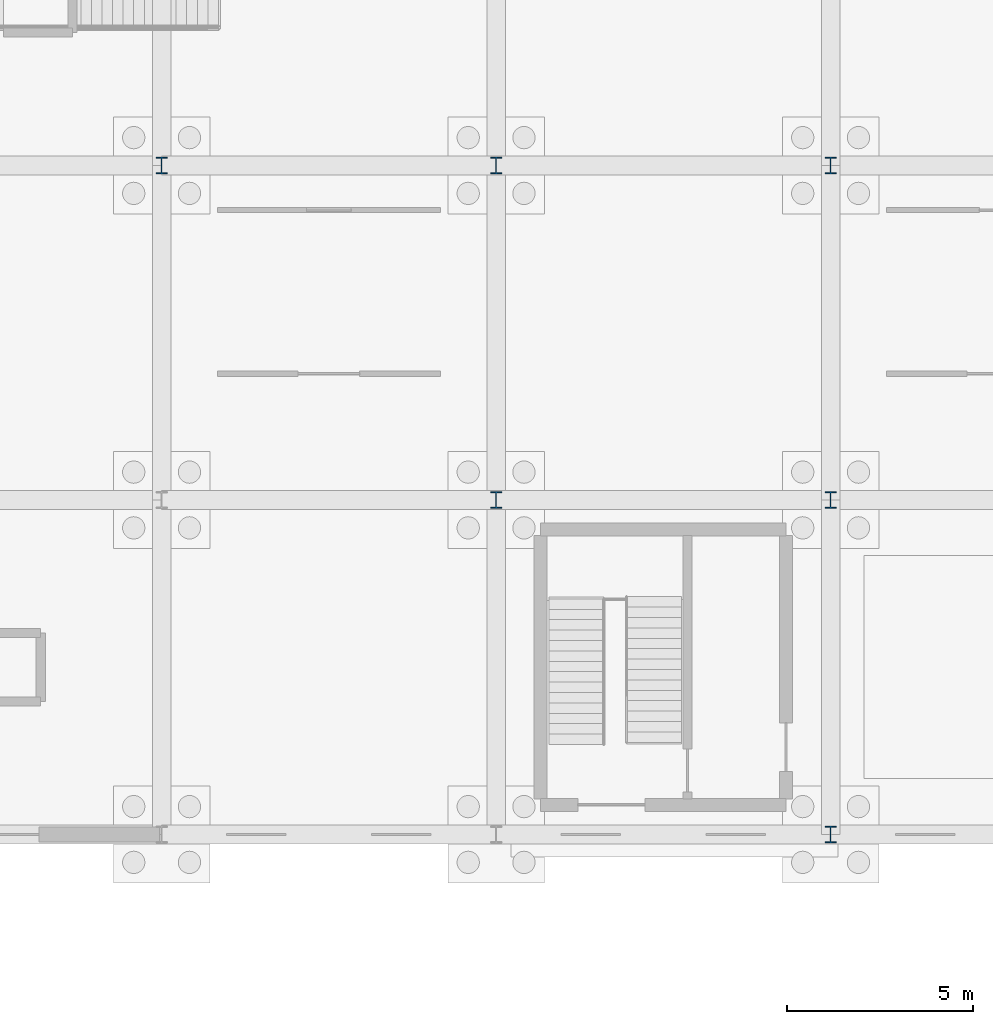
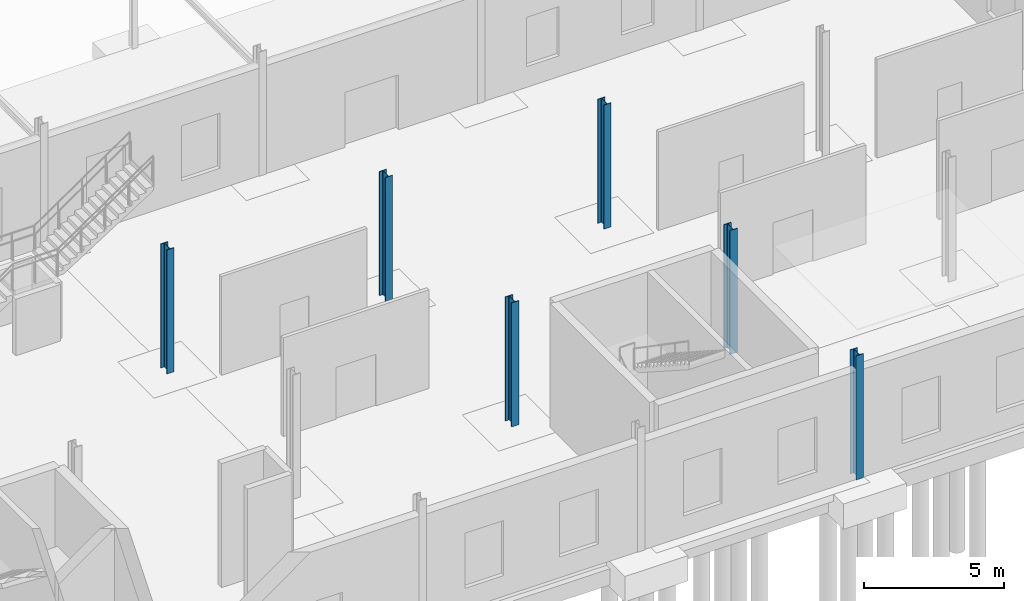
# One storey, part 32 of 118: 6 columns.
"""IFC4 building model written with IfcOpenShell, lengths in metres."""

import ifcopenshell
import ifcopenshell.guid

model = None  # the IFC model being written
_history = None  # IfcOwnerHistory: only IFC2X3 demands one
_inside = {}  # id of a spatial element -> (the spatial element, [elements in it])
_under = {}  # id of a project, library or spatial element -> (it, [spatial elements below it])
_declared = {}  # id of a project -> (the project, [libraries it declares])
_typed = {}  # id of a type object -> (the type object, [elements of that type])
_made_of = {}  # id of a material, layer set ... -> (it, [elements and type objects made of it])


def new_model(schema):
    """Start an empty IFC model of exactly this schema.

    Asked for "IFC4X3", IfcOpenShell would pick the latest addendum, in which some entities
    have other attributes; the version numbers below select the first issue.
    IFC2X3 requires an IfcOwnerHistory on every rooted entity: one is made here for all.
    """
    global model, _history
    if schema == "IFC4X3":
        model = ifcopenshell.file(schema_version=(4, 3, 0, 0))
    else:
        model = ifcopenshell.file(schema=schema)
    _inside.clear()
    _under.clear()
    _declared.clear()
    _typed.clear()
    _made_of.clear()
    _history = None
    if model.schema == "IFC2X3":
        org = make("IfcOrganization", Name="unknown")
        user = make(
            "IfcPersonAndOrganization",
            ThePerson=make("IfcPerson", FamilyName="unknown"),
            TheOrganization=org,
        )
        app = make(
            "IfcApplication",
            ApplicationDeveloper=org,
            Version="unknown",
            ApplicationFullName="unknown",
            ApplicationIdentifier="unknown",
        )
        _history = make(
            "IfcOwnerHistory",
            OwningUser=user,
            OwningApplication=app,
            ChangeAction="ADDED",
            CreationDate=0,
        )
    return model


def make(cls, **values):
    """One entity of the class cls with the attributes given. An attribute that is None is left unset."""
    return model.create_entity(
        cls, **{name: value for name, value in values.items() if value is not None}
    )


def rooted(cls, **values):
    """An entity with a GlobalId (a new one), such as an element, a storey or a relation."""
    return make(cls, GlobalId=ifcopenshell.guid.new(), OwnerHistory=_history, **values)


def si_unit(unit_type, name, prefix=None):
    """IfcSIUnit, for example si_unit("LENGTHUNIT", "METRE", prefix="MILLI")."""
    return make("IfcSIUnit", UnitType=unit_type, Prefix=prefix, Name=name)


def assignment(units):
    """IfcUnitAssignment: the units of a project."""
    return None if units is None else make("IfcUnitAssignment", Units=units)


def point(xyz):
    """IfcCartesianPoint."""
    return None if xyz is None else make("IfcCartesianPoint", Coordinates=xyz)


def direction(xyz):
    """IfcDirection."""
    return None if xyz is None else make("IfcDirection", DirectionRatios=xyz)


def frame(location, z_axis=None, x_axis=None):
    """IfcAxis2Placement3D, a coordinate frame: its origin and axes. An axis left out is left unset."""
    return make(
        "IfcAxis2Placement3D",
        Location=point(location),
        Axis=direction(z_axis),
        RefDirection=direction(x_axis),
    )


def frame_2d(location, x_axis=None):
    """IfcAxis2Placement2D, a coordinate frame in the plane: its origin and x axis."""
    return make(
        "IfcAxis2Placement2D", Location=point(location), RefDirection=direction(x_axis)
    )


def origin():
    """The frame at (0, 0, 0) with its axes left unset."""
    return frame((0.0, 0.0, 0.0))


def origin_2d():
    """The frame at (0, 0) in the plane with its x axis left unset."""
    return frame_2d((0.0, 0.0))


def place(relative_to, where):
    """IfcLocalPlacement: puts the frame where relative to a parent placement (None: the world)."""
    return make(
        "IfcLocalPlacement", PlacementRelTo=relative_to, RelativePlacement=where
    )


def context(
    kind, dimensions, precision=None, world=None, true_north=None, identifier=None
):
    """IfcGeometricRepresentationContext, for example the 3D "Model" context."""
    return make(
        "IfcGeometricRepresentationContext",
        ContextIdentifier=identifier,
        ContextType=kind,
        CoordinateSpaceDimension=dimensions,
        Precision=precision,
        WorldCoordinateSystem=world,
        TrueNorth=true_north,
    )


def subcontext(parent, identifier, kind, view, scale=None):
    """IfcGeometricRepresentationSubContext, for example "Body" below "Model"."""
    return make(
        "IfcGeometricRepresentationSubContext",
        ContextIdentifier=identifier,
        ContextType=kind,
        ParentContext=parent,
        TargetScale=scale,
        TargetView=view,
    )


def project(units=None, contexts=None):
    """IfcProject with its units and contexts."""
    return rooted(
        "IfcProject",
        Name="project",
        RepresentationContexts=contexts,
        UnitsInContext=assignment(units),
    )


def spatial(cls, under=None, at=None, **own):
    """A site, building, storey or space (cls), placed at a placement, below another one or the project."""
    s = rooted(cls, ObjectPlacement=at, **own)
    if under is not None:
        _under.setdefault(under.id(), (under, []))[1].append(s)
    return s


def profile(cls, at=None, kind="AREA", **sizes):
    """A parametric profile (cls). Its sizes go by their IFC names, for example OverallWidth=200.0."""
    return make(cls, ProfileType=kind, Position=at, **sizes)


def i_section(**sizes):
    """IfcIShapeProfileDef."""
    return profile("IfcIShapeProfileDef", **sizes)


def extrude(swept, where, along, depth):
    """IfcExtrudedAreaSolid: the profile swept, set in the frame where, extruded along a direction by depth."""
    return make(
        "IfcExtrudedAreaSolid",
        SweptArea=swept,
        Position=where,
        ExtrudedDirection=direction(along),
        Depth=depth,
    )


def shape(context_of_items, identifier, shape_type, items):
    """IfcShapeRepresentation: the items that make up one representation, for example the "Body"."""
    return make(
        "IfcShapeRepresentation",
        ContextOfItems=context_of_items,
        RepresentationIdentifier=identifier,
        RepresentationType=shape_type,
        Items=items,
    )


def material(Name=None, Category=None):
    """IfcMaterial."""
    return make("IfcMaterial", Name=Name, Category=Category)


def material_profile(
    of_material, cross_section, Name=None, Category=None, Priority=None
):
    """IfcMaterialProfile: a cross section and its material."""
    return make(
        "IfcMaterialProfile",
        Name=Name,
        Material=of_material,
        Profile=cross_section,
        Priority=Priority,
        Category=Category,
    )


def profile_set(profiles, Name=None, composite=None):
    """IfcMaterialProfileSet."""
    return make(
        "IfcMaterialProfileSet",
        Name=Name,
        MaterialProfiles=profiles,
        CompositeProfile=composite,
    )


def made_of(thing, what):
    """Note that an element or type object is made of a material, layer set ...; save() writes the relation."""
    if what is not None:
        _made_of.setdefault(what.id(), (what, []))[1].append(thing)
    return thing


def type_object(cls, material=None, **own):
    """A type object (cls), such as IfcWallType, which elements share."""
    return made_of(rooted(cls, **own), material)


def element(
    cls,
    number,
    at=None,
    inside=None,
    cuts=None,
    type_object=None,
    material=None,
    context=None,
    identifier="Body",
    shape_type=None,
    held_by="IfcProductDefinitionShape",
    body=None,
    shapes=None,
    **own,
):
    """One element of the class cls, such as IfcWall. Its Tag is "e" and its number.

    at: its placement. inside: the storey or other place that contains it. cuts: it is an
    opening in that element (IfcRelVoidsElement). A single representation is given by context,
    identifier, shape_type and body (its items); several are given by shapes. held_by: the class
    of the entity that holds the representations. save() writes the other relations.
    """
    e = rooted(cls, Tag="e%d" % number, ObjectPlacement=at, **own)
    if body is not None:
        shapes = [shape(context, identifier, shape_type, body)]
    if shapes is not None:
        e.Representation = make(held_by, Representations=shapes)
    if inside is not None:
        _inside.setdefault(inside.id(), (inside, []))[1].append(e)
    if cuts is not None:
        rooted(
            "IfcRelVoidsElement", RelatingBuildingElement=cuts, RelatedOpeningElement=e
        )
    if type_object is not None:
        _typed.setdefault(type_object.id(), (type_object, []))[1].append(e)
    return made_of(e, material)


def aggregate(whole, parts):
    """IfcRelAggregates: a whole, such as a stair, and the parts it consists of."""
    return rooted("IfcRelAggregates", RelatingObject=whole, RelatedObjects=parts)


def save(model, path):
    """Write the relations noted so far, then the file.

    IfcRelAggregates (storeys below a building ...), IfcRelContainedInSpatialStructure (elements
    in a storey), IfcRelDefinesByType, IfcRelAssociatesMaterial and IfcRelDeclares: one each for
    every whole, place, type object, material and project.
    """
    for whole, parts in _under.values():
        aggregate(whole, parts)
    for where, things in _inside.values():
        rooted(
            "IfcRelContainedInSpatialStructure",
            RelatedElements=things,
            RelatingStructure=where,
        )
    for kind, things in _typed.values():
        rooted("IfcRelDefinesByType", RelatedObjects=things, RelatingType=kind)
    for what, things in _made_of.values():
        rooted("IfcRelAssociatesMaterial", RelatedObjects=things, RelatingMaterial=what)
    for by, libraries in _declared.values():
        rooted("IfcRelDeclares", RelatingContext=by, RelatedDefinitions=libraries)
    model.write(path)


model = new_model("IFC4")

# Units and contexts
model_context = context("Model", 3, precision=1e-05, world=origin(), true_north=direction((0.0, 1.0)))
body_context = subcontext(model_context, "Body", "Model", "MODEL_VIEW")
ifc_project = project(units=[si_unit("LENGTHUNIT", "METRE"), si_unit("AREAUNIT", "SQUARE_METRE"), si_unit("VOLUMEUNIT", "CUBIC_METRE"), si_unit("PLANEANGLEUNIT", "RADIAN"), si_unit("MASSUNIT", "GRAM", prefix="KILO")], contexts=[model_context])

# Site, building, storey
site_placement = place(None, origin())
site = spatial("IfcSite", under=ifc_project, at=site_placement, CompositionType="ELEMENT")
building_placement = place(site_placement, origin())
building = spatial("IfcBuilding", under=site, at=building_placement, Name="Kildeholm Park Wholesale Market", CompositionType="ELEMENT")
storey_placement = place(building_placement, origin())
storey = spatial("IfcBuildingStorey", under=building, at=storey_placement, Name="L00", CompositionType="ELEMENT", Elevation=0.0)

# Columns
ifc_material = material(Name="Steel S355", Category="steel")
ifc_material_profile = material_profile(ifc_material, i_section(OverallWidth=0.300048828125, OverallDepth=0.449951171875, WebThickness=0.013916015625, FlangeThickness=0.02587890625, FilletRadius=0.027099609375, at=origin_2d()), Name="HEB 450")
ifc_profile_set = profile_set([ifc_material_profile], Name="Steel S355")
column_type = type_object("IfcColumnType", Name="Column C-S06 HEB 450", PredefinedType="COLUMN", material=ifc_profile_set)
for number, where, z_axis, x_axis, name in (
    (1, (162.0, 18.0, 0.0), (0.0, 0.0, 1.0), (1.0, 0.0, 0.0), "Column V5E-162-018 L00 COL-0821"),
    (2, (171.0, 9.0, 0.0), (0.0, 0.0, 1.0), (1.0, 0.0, 0.0), "Column V5E-171-009 L00 COL-0831"),
    (3, (171.0, 18.0, 0.0), (0.0, 0.0, 1.0), (1.0, 0.0, 0.0), "Column V5E-171-018 L00 COL-0835"),
    (4, (180.0, 0.0, 0.0), (0.0, 0.0, 1.0), (1.0, 0.0, 0.0), "Column V5E-180-000 L00 COL-0841"),
    (5, (180.0, 9.0, 0.0), (0.0, 0.0, 1.0), (1.0, 0.0, 0.0), "Column V5E-180-009 L00 COL-0845"),
    (6, (180.0, 18.0, 0.0), (0.0, 0.0, 1.0), (1.0, 0.0, 0.0), "Column V5E-180-018 L00 COL-0849"),
):
    element("IfcColumn", number, at=place(storey_placement, frame(where, z_axis=z_axis, x_axis=x_axis)), inside=storey, type_object=column_type, Name=name, PredefinedType="COLUMN", context=body_context, shape_type="SweptSolid", body=[
        extrude(i_section(OverallWidth=0.300048828125, OverallDepth=0.449951171875, WebThickness=0.013916015625, FlangeThickness=0.02587890625, FilletRadius=0.027099609375, at=origin_2d()), origin(), (0.0, 0.0, 1.0), 5.39990234375),
    ])

save(model, "model.ifc")
